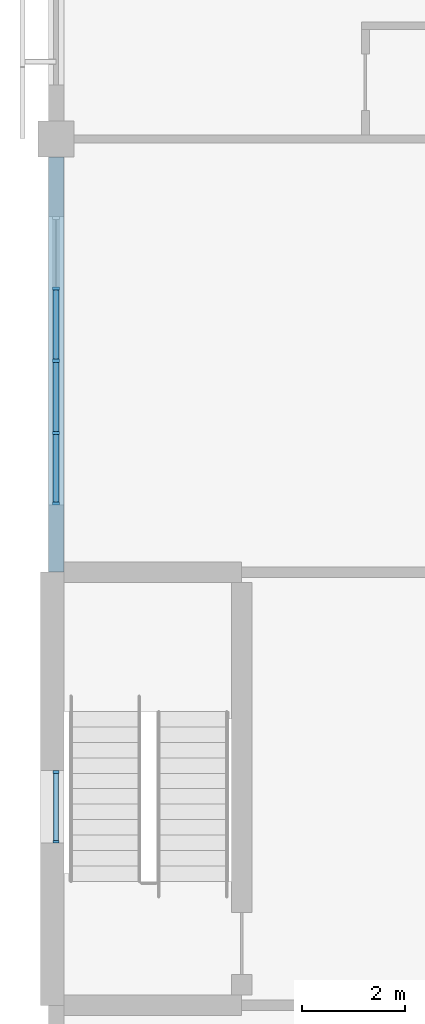
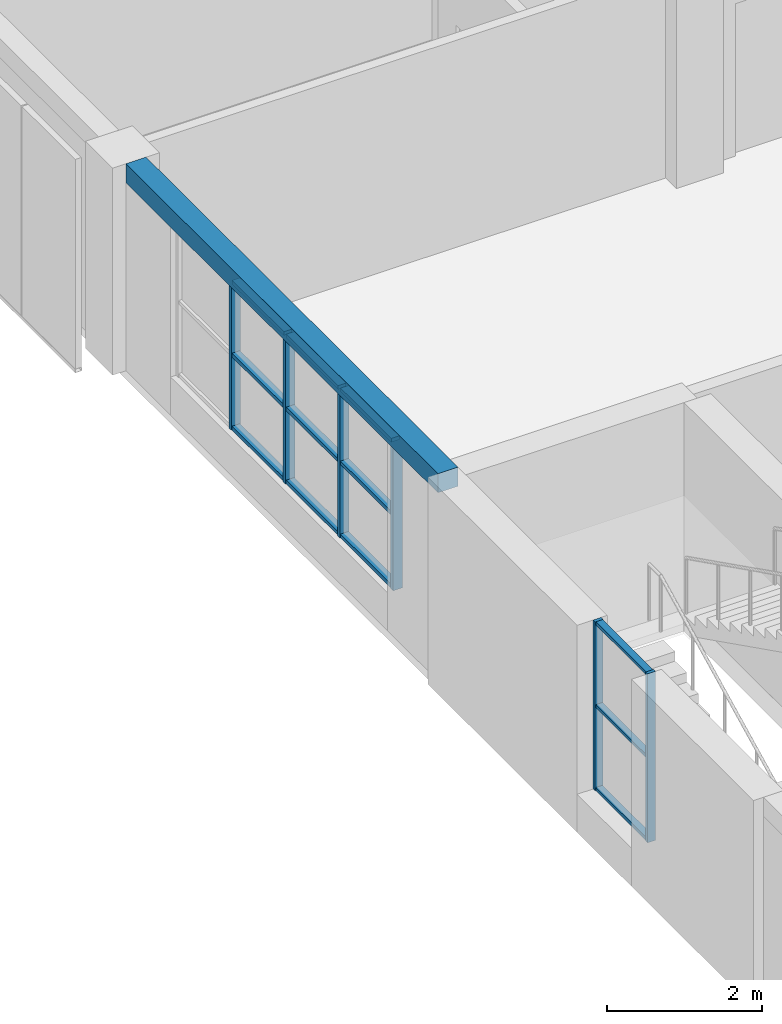
# One storey, part 3 of 46: 18 members, 1 beam, 2 elements without a shape of their own.
"""IFC4 building model written with IfcOpenShell, lengths in metres."""

from ifc_helpers import new_model, si_unit, direction, frame, origin, origin_2d, place, context, subcontext, project, spatial, rectangle, extrude, material, material_profile, profile_set, type_object, element, aggregate, save


model = new_model("IFC4")

# Units and contexts
model_context = context("Model", 3, precision=1e-05, world=origin(), true_north=direction((0.0, 1.0)))
body_context = subcontext(model_context, "Body", "Model", "MODEL_VIEW")
ifc_project = project(units=[si_unit("LENGTHUNIT", "METRE"), si_unit("AREAUNIT", "SQUARE_METRE"), si_unit("VOLUMEUNIT", "CUBIC_METRE"), si_unit("PLANEANGLEUNIT", "RADIAN"), si_unit("MASSUNIT", "GRAM", prefix="KILO")], contexts=[model_context])

# Site, building, storey
site_placement = place(None, origin())
site = spatial("IfcSite", under=ifc_project, at=site_placement, CompositionType="ELEMENT")
building_placement = place(site_placement, origin())
building = spatial("IfcBuilding", under=site, at=building_placement, Name="Yavir Park General Hospital", CompositionType="ELEMENT")
storey_placement = place(building_placement, frame((0.0, 0.0, 18.89990234375)))
storey = spatial("IfcBuildingStorey", under=building, at=storey_placement, Name="L04", CompositionType="ELEMENT", Elevation=18.89990234375)

# Curtain wall, members
ifc_material_1 = material(Name="Aluminium curtain wall frame with insulated glazing", Category="aluminium")
curtain_wall_type_1 = type_object("IfcCurtainWallType", Name="Day room pocket glazing, ward floors, 2360 high, 1400 module", PredefinedType="NOTDEFINED", material=ifc_material_1)
curtain_wall_1_placement = place(storey_placement, origin())
curtain_wall_1 = element("IfcCurtainWall", 1, at=curtain_wall_1_placement, inside=storey, type_object=curtain_wall_type_1, Name="CW6 L04-017", PredefinedType="NOTDEFINED")
ifc_material_2 = material(Name="Aluminium", Category="aluminium")
ifc_material_profile_1 = material_profile(ifc_material_2, rectangle(XDim=0.139892578125, YDim=0.06005859375, at=origin_2d()), Name="AL 60x140")
ifc_profile_set_1 = profile_set([ifc_material_profile_1], Name="Aluminium")
member_type_1 = type_object("IfcMemberType", Name="Day room pocket glazing, ward floors, 2360 high mullion 60 x 140", PredefinedType="MULLION", material=ifc_profile_set_1)
member_1_placement = place(storey_placement, frame((0.0, 26.530029296875, 0.60009765625), z_axis=(0.0, 0.0, 1.0), x_axis=(-1.0, 0.0, 0.0)))
member_1 = element("IfcMember", 2, at=member_1_placement, type_object=member_type_1, Name="CW6 mullion 1", PredefinedType="MULLION", context=body_context, shape_type="SweptSolid", body=[
    extrude(rectangle(XDim=0.139892578125, YDim=0.06005859375, at=origin_2d()), origin(), (0.0, 0.0, 1.0), 2.360107421875),
])
member_2_placement = place(storey_placement, frame((0.0, 27.89990234375, 0.60009765625), z_axis=(0.0, 0.0, 1.0), x_axis=(-1.0, 0.0, 0.0)))
member_2 = element("IfcMember", 3, at=member_2_placement, type_object=member_type_1, Name="CW6 mullion 2", PredefinedType="MULLION", context=body_context, shape_type="SweptSolid", body=[
    extrude(rectangle(XDim=0.139892578125, YDim=0.06005859375, at=origin_2d()), origin(), (0.0, 0.0, 1.0), 2.360107421875),
])
member_3_placement = place(storey_placement, frame((0.0, 29.300048828125, 0.60009765625), z_axis=(0.0, 0.0, 1.0), x_axis=(-1.0, 0.0, 0.0)))
member_3 = element("IfcMember", 4, at=member_3_placement, type_object=member_type_1, Name="CW6 mullion 3", PredefinedType="MULLION", context=body_context, shape_type="SweptSolid", body=[
    extrude(rectangle(XDim=0.139892578125, YDim=0.06005859375, at=origin_2d()), origin(), (0.0, 0.0, 1.0), 2.360107421875),
])
member_4_placement = place(storey_placement, frame((0.0, 30.699951171875, 0.60009765625), z_axis=(0.0, 0.0, 1.0), x_axis=(-1.0, 0.0, 0.0)))
member_4 = element("IfcMember", 5, at=member_4_placement, type_object=member_type_1, Name="CW6 mullion 4", PredefinedType="MULLION", context=body_context, shape_type="SweptSolid", body=[
    extrude(rectangle(XDim=0.139892578125, YDim=0.06005859375, at=origin_2d()), origin(), (0.0, 0.0, 1.0), 2.360107421875),
])
ifc_material_3 = material(Name="Aluminium", Category="aluminium")
ifc_material_profile_2 = material_profile(ifc_material_3, rectangle(XDim=0.1201171875, YDim=0.06005859375, at=origin_2d()), Name="AL 120x60")
ifc_profile_set_2 = profile_set([ifc_material_profile_2], Name="Aluminium")
member_type_2 = type_object("IfcMemberType", Name="Day room pocket glazing, ward floors, 2360 high transom 60 x 120", PredefinedType="MULLION", material=ifc_profile_set_2)
member_5_placement = place(storey_placement, frame((0.0, 26.56005859375, 0.630126953125), z_axis=(0.0, 1.0, 0.0), x_axis=(-1.0, 0.0, 0.0)))
member_5 = element("IfcMember", 6, at=member_5_placement, type_object=member_type_2, Name="CW6 transom 1.1", PredefinedType="MULLION", context=body_context, shape_type="SweptSolid", body=[
    extrude(rectangle(XDim=0.1201171875, YDim=0.06005859375, at=origin_2d()), origin(), (0.0, 0.0, 1.0), 1.31005859375),
])
member_6_placement = place(storey_placement, frame((0.0, 26.56005859375, 1.780029296875), z_axis=(0.0, 1.0, 0.0), x_axis=(-1.0, 0.0, 0.0)))
member_6 = element("IfcMember", 7, at=member_6_placement, type_object=member_type_2, Name="CW6 transom 1.2", PredefinedType="MULLION", context=body_context, shape_type="SweptSolid", body=[
    extrude(rectangle(XDim=0.1201171875, YDim=0.06005859375, at=origin_2d()), origin(), (0.0, 0.0, 1.0), 1.31005859375),
])
member_7_placement = place(storey_placement, frame((0.0, 26.56005859375, 2.93017578125), z_axis=(0.0, 1.0, 0.0), x_axis=(-1.0, 0.0, 0.0)))
member_7 = element("IfcMember", 8, at=member_7_placement, type_object=member_type_2, Name="CW6 transom 1.3", PredefinedType="MULLION", context=body_context, shape_type="SweptSolid", body=[
    extrude(rectangle(XDim=0.1201171875, YDim=0.06005859375, at=origin_2d()), origin(), (0.0, 0.0, 1.0), 1.31005859375),
])
member_8_placement = place(storey_placement, frame((0.0, 27.929931640625, 0.630126953125), z_axis=(0.0, 1.0, 0.0), x_axis=(-1.0, 0.0, 0.0)))
member_8 = element("IfcMember", 9, at=member_8_placement, type_object=member_type_2, Name="CW6 transom 2.1", PredefinedType="MULLION", context=body_context, shape_type="SweptSolid", body=[
    extrude(rectangle(XDim=0.1201171875, YDim=0.06005859375, at=origin_2d()), origin(), (0.0, 0.0, 1.0), 1.340087890625),
])
member_9_placement = place(storey_placement, frame((0.0, 27.929931640625, 1.780029296875), z_axis=(0.0, 1.0, 0.0), x_axis=(-1.0, 0.0, 0.0)))
member_9 = element("IfcMember", 10, at=member_9_placement, type_object=member_type_2, Name="CW6 transom 2.2", PredefinedType="MULLION", context=body_context, shape_type="SweptSolid", body=[
    extrude(rectangle(XDim=0.1201171875, YDim=0.06005859375, at=origin_2d()), origin(), (0.0, 0.0, 1.0), 1.340087890625),
])
member_10_placement = place(storey_placement, frame((0.0, 27.929931640625, 2.93017578125), z_axis=(0.0, 1.0, 0.0), x_axis=(-1.0, 0.0, 0.0)))
member_10 = element("IfcMember", 11, at=member_10_placement, type_object=member_type_2, Name="CW6 transom 2.3", PredefinedType="MULLION", context=body_context, shape_type="SweptSolid", body=[
    extrude(rectangle(XDim=0.1201171875, YDim=0.06005859375, at=origin_2d()), origin(), (0.0, 0.0, 1.0), 1.340087890625),
])
member_11_placement = place(storey_placement, frame((0.0, 29.330078125, 0.630126953125), z_axis=(0.0, 1.0, 0.0), x_axis=(-1.0, 0.0, 0.0)))
member_11 = element("IfcMember", 12, at=member_11_placement, type_object=member_type_2, Name="CW6 transom 3.1", PredefinedType="MULLION", context=body_context, shape_type="SweptSolid", body=[
    extrude(rectangle(XDim=0.1201171875, YDim=0.06005859375, at=origin_2d()), origin(), (0.0, 0.0, 1.0), 1.33984375),
])
member_12_placement = place(storey_placement, frame((0.0, 29.330078125, 1.780029296875), z_axis=(0.0, 1.0, 0.0), x_axis=(-1.0, 0.0, 0.0)))
member_12 = element("IfcMember", 13, at=member_12_placement, type_object=member_type_2, Name="CW6 transom 3.2", PredefinedType="MULLION", context=body_context, shape_type="SweptSolid", body=[
    extrude(rectangle(XDim=0.1201171875, YDim=0.06005859375, at=origin_2d()), origin(), (0.0, 0.0, 1.0), 1.33984375),
])
member_13_placement = place(storey_placement, frame((0.0, 29.330078125, 2.93017578125), z_axis=(0.0, 1.0, 0.0), x_axis=(-1.0, 0.0, 0.0)))
member_13 = element("IfcMember", 14, at=member_13_placement, type_object=member_type_2, Name="CW6 transom 3.3", PredefinedType="MULLION", context=body_context, shape_type="SweptSolid", body=[
    extrude(rectangle(XDim=0.1201171875, YDim=0.06005859375, at=origin_2d()), origin(), (0.0, 0.0, 1.0), 1.33984375),
])
aggregate(curtain_wall_1, [member_1, member_2, member_3, member_4, member_5, member_6, member_7, member_8, member_9, member_10, member_11, member_12, member_13])

# Beam
ifc_material_4 = material(Name="Concrete C35/45", Category="concrete")
ifc_material_profile_3 = material_profile(ifc_material_4, rectangle(XDim=0.300048828125, YDim=0.300048828125, at=origin_2d()), Name="RC300x300")
ifc_profile_set_3 = profile_set([ifc_material_profile_3], Name="Concrete C35/45")
beam_type = type_object("IfcBeamType", Name="RC BEAM 300x300 edge beam", PredefinedType="BEAM", material=ifc_profile_set_3)
beam_placement = place(storey_placement, frame((0.0, 25.199951171875, 3.110107421875), z_axis=(0.0, 1.0, 0.0), x_axis=(-1.0, 0.0, 0.0)))
element("IfcBeam", 15, at=beam_placement, inside=storey, type_object=beam_type, Name="B:EDGE:L04:018", PredefinedType="BEAM", context=body_context, shape_type="SweptSolid", body=[
    extrude(rectangle(XDim=0.300048828125, YDim=0.300048828125, at=origin_2d()), origin(), (0.0, 0.0, 1.0), 8.050048828125),
])

# Curtain wall, members
ifc_material_5 = material(Name="Aluminium curtain wall frame with insulated glazing", Category="aluminium")
curtain_wall_type_2 = type_object("IfcCurtainWallType", Name="Stair light slot, ward floors, 2660 high, 1400 module", PredefinedType="NOTDEFINED", material=ifc_material_5)
curtain_wall_2_placement = place(storey_placement, origin())
curtain_wall_2 = element("IfcCurtainWall", 16, at=curtain_wall_2_placement, inside=storey, type_object=curtain_wall_type_2, Name="CW10 L04-016", PredefinedType="NOTDEFINED")
ifc_material_6 = material(Name="Aluminium", Category="aluminium")
ifc_material_profile_4 = material_profile(ifc_material_6, rectangle(XDim=0.1201171875, YDim=0.050048828125, at=origin_2d()), Name="AL 50x120")
ifc_profile_set_4 = profile_set([ifc_material_profile_4], Name="Aluminium")
member_type_3 = type_object("IfcMemberType", Name="Stair light slot, ward floors, 2660 high mullion 50 x 120", PredefinedType="MULLION", material=ifc_profile_set_4)
member_14_placement = place(storey_placement, frame((0.0, 19.97509765625, 0.60009765625), z_axis=(0.0, 0.0, 1.0), x_axis=(-1.0, 0.0, 0.0)))
member_14 = element("IfcMember", 17, at=member_14_placement, type_object=member_type_3, Name="CW10 mullion 1", PredefinedType="MULLION", context=body_context, shape_type="SweptSolid", body=[
    extrude(rectangle(XDim=0.1201171875, YDim=0.050048828125, at=origin_2d()), origin(), (0.0, 0.0, 1.0), 2.659912109375),
])
member_15_placement = place(storey_placement, frame((0.0, 21.324951171875, 0.60009765625), z_axis=(0.0, 0.0, 1.0), x_axis=(-1.0, 0.0, 0.0)))
member_15 = element("IfcMember", 18, at=member_15_placement, type_object=member_type_3, Name="CW10 mullion 2", PredefinedType="MULLION", context=body_context, shape_type="SweptSolid", body=[
    extrude(rectangle(XDim=0.1201171875, YDim=0.050048828125, at=origin_2d()), origin(), (0.0, 0.0, 1.0), 2.659912109375),
])
ifc_material_7 = material(Name="Aluminium", Category="aluminium")
ifc_material_profile_5 = material_profile(ifc_material_7, rectangle(XDim=0.10009765625, YDim=0.050048828125, at=origin_2d()), Name="AL 100x50")
ifc_profile_set_5 = profile_set([ifc_material_profile_5], Name="Aluminium")
member_type_4 = type_object("IfcMemberType", Name="Stair light slot, ward floors, 2660 high transom 50 x 100", PredefinedType="MULLION", material=ifc_profile_set_5)
member_16_placement = place(storey_placement, frame((0.0, 20.0, 0.625), z_axis=(0.0, 1.0, 0.0), x_axis=(-1.0, 0.0, 0.0)))
member_16 = element("IfcMember", 19, at=member_16_placement, type_object=member_type_4, Name="CW10 transom 1.1", PredefinedType="MULLION", context=body_context, shape_type="SweptSolid", body=[
    extrude(rectangle(XDim=0.10009765625, YDim=0.050048828125, at=origin_2d()), origin(), (0.0, 0.0, 1.0), 1.300048828125),
])
member_17_placement = place(storey_placement, frame((0.0, 20.0, 1.93017578125), z_axis=(0.0, 1.0, 0.0), x_axis=(-1.0, 0.0, 0.0)))
member_17 = element("IfcMember", 20, at=member_17_placement, type_object=member_type_4, Name="CW10 transom 1.2", PredefinedType="MULLION", context=body_context, shape_type="SweptSolid", body=[
    extrude(rectangle(XDim=0.10009765625, YDim=0.050048828125, at=origin_2d()), origin(), (0.0, 0.0, 1.0), 1.300048828125),
])
member_18_placement = place(storey_placement, frame((0.0, 20.0, 3.235107421875), z_axis=(0.0, 1.0, 0.0), x_axis=(-1.0, 0.0, 0.0)))
member_18 = element("IfcMember", 21, at=member_18_placement, type_object=member_type_4, Name="CW10 transom 1.3", PredefinedType="MULLION", context=body_context, shape_type="SweptSolid", body=[
    extrude(rectangle(XDim=0.10009765625, YDim=0.050048828125, at=origin_2d()), origin(), (0.0, 0.0, 1.0), 1.300048828125),
])
aggregate(curtain_wall_2, [member_14, member_15, member_16, member_17, member_18])

save(model, "model.ifc")
